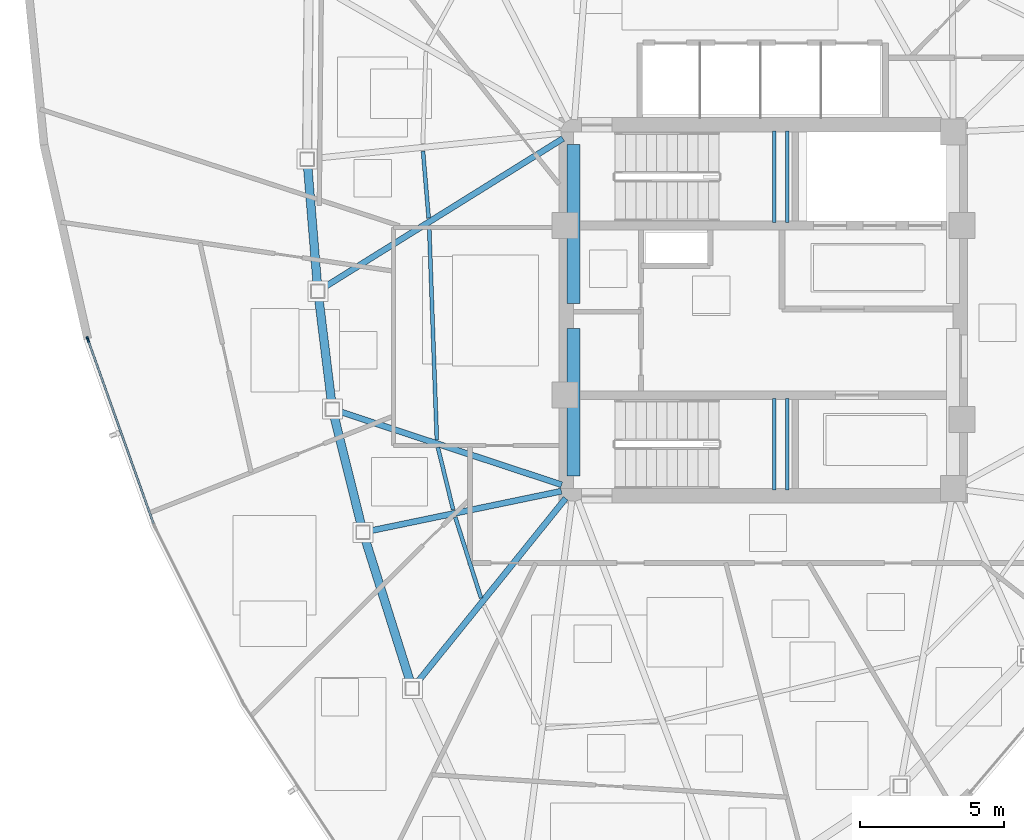
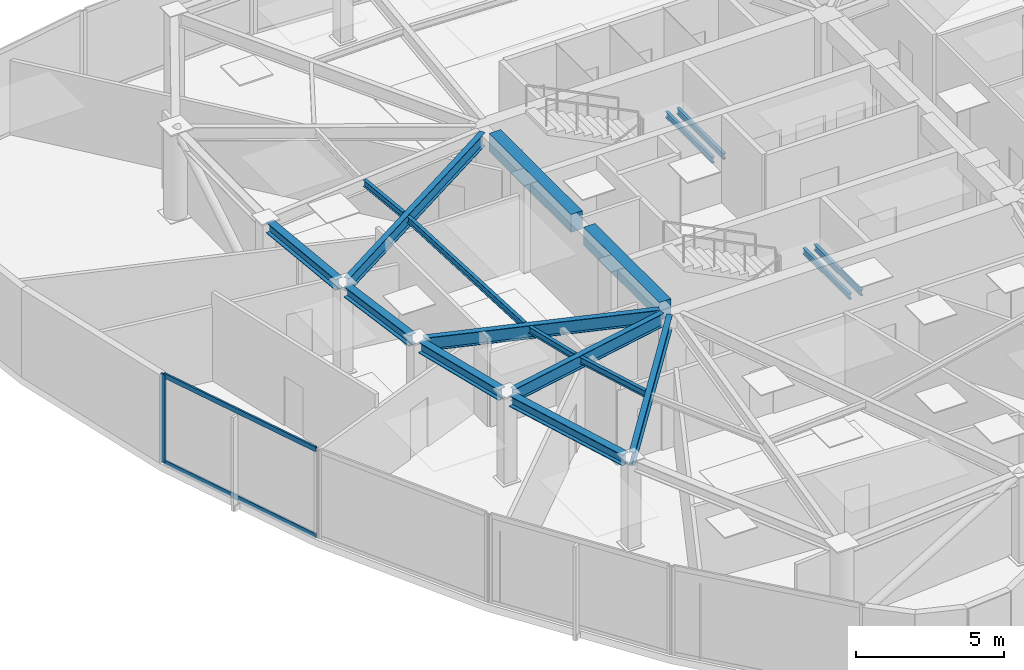
# One storey, part 3 of 13: 18 beams, 3 members, 1 element without a shape of its own.
"""IFC4 building model written with IfcOpenShell, lengths in metres."""

from ifc_helpers import new_model, si_unit, direction, frame, origin, origin_2d, place, context, subcontext, project, spatial, rectangle, hollow_rectangle, i_section, extrude, source, transform, mapped, material, layer, layer_set, material_profile, profile_set, type_object, type_shapes, element, aggregate, save


model = new_model("IFC4")

# Units and contexts
model_context = context("Model", 3, precision=1e-05, world=origin(), true_north=direction((0.0, 1.0)))
body_context = subcontext(model_context, "Body", "Model", "MODEL_VIEW")
ifc_project = project(units=[si_unit("LENGTHUNIT", "METRE"), si_unit("AREAUNIT", "SQUARE_METRE"), si_unit("VOLUMEUNIT", "CUBIC_METRE"), si_unit("PLANEANGLEUNIT", "RADIAN"), si_unit("MASSUNIT", "GRAM", prefix="KILO")], contexts=[model_context])

# Site, building, storey
site_placement = place(None, origin())
site = spatial("IfcSite", under=ifc_project, at=site_placement, CompositionType="ELEMENT")
building_placement = place(site_placement, origin())
building = spatial("IfcBuilding", under=site, at=building_placement, Name="Tavelor Broadcast Tower", CompositionType="ELEMENT")
storey_placement = place(building_placement, frame((0.0, 0.0, 265.60009765625)))
storey = spatial("IfcBuildingStorey", under=building, at=storey_placement, Name="L63", CompositionType="ELEMENT", Elevation=265.60009765625)

# Beams
ifc_material_1 = material(Name="Concrete C40/50", Category="concrete")
ifc_material_profile_1 = material_profile(ifc_material_1, rectangle(XDim=0.449951171875, YDim=0.75, at=origin_2d()), Name="RC 450x750")
ifc_profile_set_1 = profile_set([ifc_material_profile_1], Name="Concrete C40/50")
beam_type_1 = type_object("IfcBeamType", Name="Basement Core Trim Beam 450x750", PredefinedType="BEAM", material=ifc_profile_set_1)
beam_1_placement = place(storey_placement, frame((43.39990234375, 45.23193359375, 3.27490234375), z_axis=(0.0, 1.0, 0.0), x_axis=(-1.0, 0.0, 0.0)))
element("IfcBeam", 1, at=beam_1_placement, inside=storey, type_object=beam_type_1, Name="L63 Core West-N Tie Girder", PredefinedType="BEAM", context=body_context, shape_type="SweptSolid", body=[
    extrude(rectangle(XDim=0.449951171875, YDim=0.75, at=origin_2d()), origin(), (0.0, 0.0, 1.0), 5.5361328125),
])
beam_2_placement = place(storey_placement, frame((43.39990234375, 39.23193359375, 3.27490234375), z_axis=(0.0, 1.0, 0.0), x_axis=(-1.0, 0.0, 0.0)))
element("IfcBeam", 2, at=beam_2_placement, inside=storey, type_object=beam_type_1, Name="L63 Core West-S Tie Girder", PredefinedType="BEAM", context=body_context, shape_type="SweptSolid", body=[
    extrude(rectangle(XDim=0.449951171875, YDim=0.75, at=origin_2d()), origin(), (0.0, 0.0, 1.0), 5.135986328125),
])
ifc_material_2 = material(Name="Steel S355", Category="steel")
ifc_material_profile_2 = material_profile(ifc_material_2, i_section(OverallWidth=0.135009765625, OverallDepth=0.27001953125, WebThickness=0.006591796875, FlangeThickness=0.01025390625, at=origin_2d()), Name="IPE 270")
ifc_profile_set_2 = profile_set([ifc_material_profile_2], Name="Steel S355")
beam_type_2 = type_object("IfcBeamType", Name="Composite Floor Joist T6 IPE 270", PredefinedType="JOIST", material=ifc_profile_set_2)
beam_3_placement = place(storey_placement, frame((38.168701171875, 50.531982421875, 3.514892578125), z_axis=(0.084031501076, -0.996463098578, 0.0), x_axis=(0.996463098578, 0.084031501076, 0.0)))
element("IfcBeam", 3, at=beam_3_placement, inside=storey, type_object=beam_type_2, Name="L63 Secondary Composite Floor Joist 02", PredefinedType="JOIST", context=body_context, shape_type="SweptSolid", body=[
    extrude(i_section(OverallWidth=0.135009765625, OverallDepth=0.27001953125, WebThickness=0.006591796875, FlangeThickness=0.01025390625, at=origin_2d()), origin(), (0.0, 0.0, 1.0), 2.3359375),
])
beam_4_placement = place(storey_placement, frame((38.381103515625, 47.9365234375, 3.514892578125), z_axis=(0.035987571959, -0.999352237534, 0.0), x_axis=(0.999352237534, 0.035987571959, 0.0)))
element("IfcBeam", 4, at=beam_4_placement, inside=storey, type_object=beam_type_2, Name="L63 Secondary Composite Floor Joist 03", PredefinedType="JOIST", context=body_context, shape_type="SweptSolid", body=[
    extrude(i_section(OverallWidth=0.135009765625, OverallDepth=0.27001953125, WebThickness=0.006591796875, FlangeThickness=0.01025390625, at=origin_2d()), origin(), (0.0, 0.0, 1.0), 7.442138671875),
])
beam_5_placement = place(storey_placement, frame((38.685546875, 40.23486328125, 3.514892578125), z_axis=(0.238024718386, -0.971259096965, 0.0), x_axis=(0.971259096965, 0.238024718386, 0.0)))
element("IfcBeam", 5, at=beam_5_placement, inside=storey, type_object=beam_type_2, Name="L63 Secondary Composite Floor Joist 04", PredefinedType="JOIST", context=body_context, shape_type="SweptSolid", body=[
    extrude(i_section(OverallWidth=0.135009765625, OverallDepth=0.27001953125, WebThickness=0.006591796875, FlangeThickness=0.01025390625, at=origin_2d()), origin(), (0.0, 0.0, 1.0), 2.22998046875),
])
beam_6_placement = place(storey_placement, frame((39.2890625, 37.810791015625, 3.514892578125), z_axis=(0.303612721519, -0.952795526507, 0.0), x_axis=(0.952795526507, 0.303612721519, 0.0)))
element("IfcBeam", 6, at=beam_6_placement, inside=storey, type_object=beam_type_2, Name="L63 Secondary Composite Floor Joist 05", PredefinedType="JOIST", context=body_context, shape_type="SweptSolid", body=[
    extrude(i_section(OverallWidth=0.135009765625, OverallDepth=0.27001953125, WebThickness=0.006591796875, FlangeThickness=0.01025390625, at=origin_2d()), origin(), (0.0, 0.0, 1.0), 2.9560546875),
])
ifc_material_profile_3 = material_profile(ifc_material_2, i_section(OverallWidth=0.300048828125, OverallDepth=0.449951171875, WebThickness=0.013916015625, FlangeThickness=0.02587890625, at=origin_2d()), Name="HEB 450")
ifc_profile_set_3 = profile_set([ifc_material_profile_3], Name="Steel S355")
beam_type_3 = type_object("IfcBeamType", Name="Perimeter Spandrel Beam T6 HEB 450", PredefinedType="SPANDREL", material=ifc_profile_set_3)
beam_7_placement = place(storey_placement, frame((34.15673828125, 50.0166015625, 3.4248046875), z_axis=(0.081762604382, -0.996651833152, 0.0), x_axis=(0.996651833152, 0.081762604382, 0.0)))
element("IfcBeam", 7, at=beam_7_placement, inside=storey, type_object=beam_type_3, Name="L63 Framed-Tube Ring Spandrel 02", PredefinedType="SPANDREL", context=body_context, shape_type="SweptSolid", body=[
    extrude(i_section(OverallWidth=0.300048828125, OverallDepth=0.449951171875, WebThickness=0.013916015625, FlangeThickness=0.02587890625, at=origin_2d()), origin(), (0.0, 0.0, 1.0), 4.126708984375),
])
beam_8_placement = place(storey_placement, frame((34.54296875, 45.42626953125, 3.4248046875), z_axis=(0.122281853392, -0.992495414766, 0.0), x_axis=(0.992495414766, 0.122281853392, 0.0)))
element("IfcBeam", 8, at=beam_8_placement, inside=storey, type_object=beam_type_3, Name="L63 Framed-Tube Ring Spandrel 03", PredefinedType="SPANDREL", context=body_context, shape_type="SweptSolid", body=[
    extrude(i_section(OverallWidth=0.300048828125, OverallDepth=0.449951171875, WebThickness=0.013916015625, FlangeThickness=0.02587890625, at=origin_2d()), origin(), (0.0, 0.0, 1.0), 3.651611328125),
])
beam_9_placement = place(storey_placement, frame((35.076904296875, 41.3310546875, 3.4248046875), z_axis=(0.241279026366, -0.97045578541, 0.0), x_axis=(0.97045578541, 0.241279026366, 0.0)))
element("IfcBeam", 9, at=beam_9_placement, inside=storey, type_object=beam_type_3, Name="L63 Framed-Tube Ring Spandrel 04", PredefinedType="SPANDREL", context=body_context, shape_type="SweptSolid", body=[
    extrude(i_section(OverallWidth=0.300048828125, OverallDepth=0.449951171875, WebThickness=0.013916015625, FlangeThickness=0.02587890625, at=origin_2d()), origin(), (0.0, 0.0, 1.0), 3.93212890625),
])
beam_10_placement = place(storey_placement, frame((36.15576171875, 37.053466796875, 3.4248046875), z_axis=(0.300999122242, -0.953624416849, 0.0), x_axis=(0.953624416849, 0.300999122242, 0.0)))
element("IfcBeam", 10, at=beam_10_placement, inside=storey, type_object=beam_type_3, Name="L63 Framed-Tube Ring Spandrel 05", PredefinedType="SPANDREL", context=body_context, shape_type="SweptSolid", body=[
    extrude(i_section(OverallWidth=0.300048828125, OverallDepth=0.449951171875, WebThickness=0.013916015625, FlangeThickness=0.02587890625, at=origin_2d()), origin(), (0.0, 0.0, 1.0), 5.212890625),
])
ifc_material_profile_4 = material_profile(ifc_material_2, i_section(OverallWidth=0.2099609375, OverallDepth=0.550048828125, WebThickness=0.010986328125, FlangeThickness=0.01708984375, at=origin_2d()), Name="IPE 550")
ifc_profile_set_4 = profile_set([ifc_material_profile_4], Name="Steel S355")
beam_type_4 = type_object("IfcBeamType", Name="Radial Floor Girder T6 IPE 550", PredefinedType="BEAM", material=ifc_profile_set_4)
beam_11_placement = place(storey_placement, frame((43.033203125, 50.9716796875, 3.375), z_axis=(-0.848789723342, -0.528730560445, 0.0), x_axis=(0.528730560445, -0.848789723342, 0.0)))
element("IfcBeam", 11, at=beam_11_placement, inside=storey, type_object=beam_type_4, Name="L63 Radial Primary Floor Girder 03", PredefinedType="BEAM", context=body_context, shape_type="SweptSolid", body=[
    extrude(i_section(OverallWidth=0.2099609375, OverallDepth=0.550048828125, WebThickness=0.010986328125, FlangeThickness=0.01708984375, at=origin_2d()), origin(), (0.0, 0.0, 1.0), 9.79736328125),
])
beam_12_placement = place(storey_placement, frame((42.98974609375, 38.935302734375, 3.375), z_axis=(-0.949690563793, 0.313189771613, 0.0), x_axis=(-0.313189771613, -0.949690563793, 0.0)))
element("IfcBeam", 12, at=beam_12_placement, inside=storey, type_object=beam_type_4, Name="L63 Radial Primary Floor Girder 04", PredefinedType="BEAM", context=body_context, shape_type="SweptSolid", body=[
    extrude(i_section(OverallWidth=0.2099609375, OverallDepth=0.550048828125, WebThickness=0.010986328125, FlangeThickness=0.01708984375, at=origin_2d()), origin(), (0.0, 0.0, 1.0), 8.153076171875),
])
beam_13_placement = place(storey_placement, frame((42.97705078125, 38.71240234375, 3.375), z_axis=(-0.979151221162, -0.203132681016, 0.0), x_axis=(0.203132681016, -0.979151221162, 0.0)))
element("IfcBeam", 13, at=beam_13_placement, inside=storey, type_object=beam_type_4, Name="L63 Radial Primary Floor Girder 05", PredefinedType="BEAM", context=body_context, shape_type="SweptSolid", body=[
    extrude(i_section(OverallWidth=0.2099609375, OverallDepth=0.550048828125, WebThickness=0.010986328125, FlangeThickness=0.01708984375, at=origin_2d()), origin(), (0.0, 0.0, 1.0), 6.80029296875),
])
beam_14_placement = place(storey_placement, frame((43.12890625, 38.463623046875, 3.375), z_axis=(-0.627814320215, -0.778363141042, 0.0), x_axis=(0.778363141042, -0.627814320215, 0.0)))
element("IfcBeam", 14, at=beam_14_placement, inside=storey, type_object=beam_type_4, Name="L63 Radial Primary Floor Girder 06", PredefinedType="BEAM", context=body_context, shape_type="SweptSolid", body=[
    extrude(i_section(OverallWidth=0.2099609375, OverallDepth=0.550048828125, WebThickness=0.010986328125, FlangeThickness=0.01708984375, at=origin_2d()), origin(), (0.0, 0.0, 1.0), 8.252685546875),
])
ifc_material_profile_5 = material_profile(ifc_material_2, i_section(OverallWidth=0.1201171875, OverallDepth=0.239990234375, WebThickness=0.006103515625, FlangeThickness=0.009765625, at=origin_2d()), Name="IPE 240")
ifc_profile_set_5 = profile_set([ifc_material_profile_5], Name="Steel S355")
beam_type_5 = type_object("IfcBeamType", Name="Stairwell Landing Support Trimmer Beam IPE240", PredefinedType="BEAM", material=ifc_profile_set_5)
for number, where, z_axis, x_axis, name in (
    (15, (50.385009765625, 48.06005859375, 1.659912109375), (0.0, 1.0, 0.0), (-1.0, 0.0, 0.0), "L63 Stair Landing Support Beam 167"),
    (16, (50.824951171875, 48.06005859375, 1.659912109375), (0.0, 1.0, 0.0), (-1.0, 0.0, 0.0), "L63 Stair Landing Support Beam 168"),
    (17, (50.385009765625, 38.760009765625, 1.659912109375), (0.0, 1.0, 0.0), (-1.0, 0.0, 0.0), "L63 Stair Landing Support Beam 381"),
    (18, (50.824951171875, 38.760009765625, 1.659912109375), (0.0, 1.0, 0.0), (-1.0, 0.0, 0.0), "L63 Stair Landing Support Beam 382"),
):
    element("IfcBeam", number, at=place(storey_placement, frame(where, z_axis=z_axis, x_axis=x_axis)), inside=storey, type_object=beam_type_5, Name=name, PredefinedType="BEAM", context=body_context, shape_type="SweptSolid", body=[
        extrude(i_section(OverallWidth=0.1201171875, OverallDepth=0.239990234375, WebThickness=0.006103515625, FlangeThickness=0.009765625, at=origin_2d()), origin(), (0.0, 0.0, 1.0), 3.179931640625),
    ])

# Curtain wall, members
ifc_material_3 = material(Name="Architectural Anodized Aluminium", Category="aluminium")
ifc_layer = layer(ifc_material_3, 0.199951171875)
ifc_layer_set = layer_set([ifc_layer], Name="Architectural Anodized Aluminium")
curtain_wall_type = type_object("IfcCurtainWallType", Name="Tower High-Zone Triple-Glazed Curtain Wall CW04", PredefinedType="NOTDEFINED", material=ifc_layer_set)
curtain_wall_placement = place(storey_placement, origin())
curtain_wall = element("IfcCurtainWall", 19, at=curtain_wall_placement, inside=storey, type_object=curtain_wall_type, Name="L63 Curtain Wall CW04 Run 685", PredefinedType="NOTDEFINED")
ifc_material_profile_6 = material_profile(ifc_material_3, hollow_rectangle(XDim=0.070068359375, YDim=0.199951171875, WallThickness=0.02197265625, at=origin_2d()), Name="RHS 70x200x22")
ifc_profile_set_6 = profile_set([ifc_material_profile_6], Name="Architectural Anodized Aluminium")
member_type_1 = type_object("IfcMemberType", Name="CW04 Extruded Aluminium Mullion 70x200", PredefinedType="MULLION", material=ifc_profile_set_6)
shared_shape_1 = source(origin(), body_context, "Body", "SweptSolid", [
    extrude(hollow_rectangle(XDim=0.070068359375, YDim=0.199951171875, WallThickness=0.02197265625, at=origin_2d()), origin(), (0.0, 0.0, 1.0), 3.64990234375),
])
type_shapes(member_type_1, [shared_shape_1])
member_1_placement = place(storey_placement, frame((26.51708984375, 43.985595703125, 0.0), z_axis=(0.0, 0.0, 1.0), x_axis=(0.941909338327, 0.335867233252, 0.0)))
member_1 = element("IfcMember", 20, at=member_1_placement, type_object=member_type_1, Name="CW04 mullion 1", PredefinedType="MULLION", context=body_context, shape_type="MappedRepresentation", body=[
    mapped(shared_shape_1, transform((0.0, 0.0, 0.0), scale=1.0)),
])
ifc_material_profile_7 = material_profile(ifc_material_3, hollow_rectangle(XDim=0.070068359375, YDim=0.199951171875, WallThickness=0.02197265625, at=origin_2d()), Name="RHS 70x200x22")
ifc_profile_set_7 = profile_set([ifc_material_profile_7], Name="Architectural Anodized Aluminium")
member_type_2 = type_object("IfcMemberType", Name="CW04 Extruded Aluminium Transom 70x200", PredefinedType="USERDEFINED", material=ifc_profile_set_7)
shared_shape_2 = source(origin(), body_context, "Body", "SweptSolid", [
    extrude(hollow_rectangle(XDim=0.070068359375, YDim=0.199951171875, WallThickness=0.02197265625, at=origin_2d()), origin(), (0.0, 0.0, 1.0), 6.760498046875),
])
type_shapes(member_type_2, [shared_shape_2])
member_2_placement = place(storey_placement, frame((26.52880859375, 43.95263671875, 0.034912109375), z_axis=(0.335887968133, -0.941901944399, 0.0), x_axis=(0.941901944399, 0.335887968133, 0.0)))
member_2 = element("IfcMember", 21, at=member_2_placement, type_object=member_type_2, Name="CW04 transom 1.1", ObjectType="TRANSOM", PredefinedType="USERDEFINED", context=body_context, shape_type="MappedRepresentation", body=[
    mapped(shared_shape_2, transform((0.0, 0.0, 0.0), scale=1.0)),
])
member_3_placement = place(storey_placement, frame((26.52880859375, 43.95263671875, 3.614990234375), z_axis=(0.335887968133, -0.941901944399, 0.0), x_axis=(0.941901944399, 0.335887968133, 0.0)))
member_3 = element("IfcMember", 22, at=member_3_placement, type_object=member_type_2, Name="CW04 transom 1.2", ObjectType="TRANSOM", PredefinedType="USERDEFINED", context=body_context, shape_type="MappedRepresentation", body=[
    mapped(shared_shape_2, transform((0.0, 0.0, 0.0), scale=1.0)),
])
aggregate(curtain_wall, [member_1, member_2, member_3])

save(model, "model.ifc")
